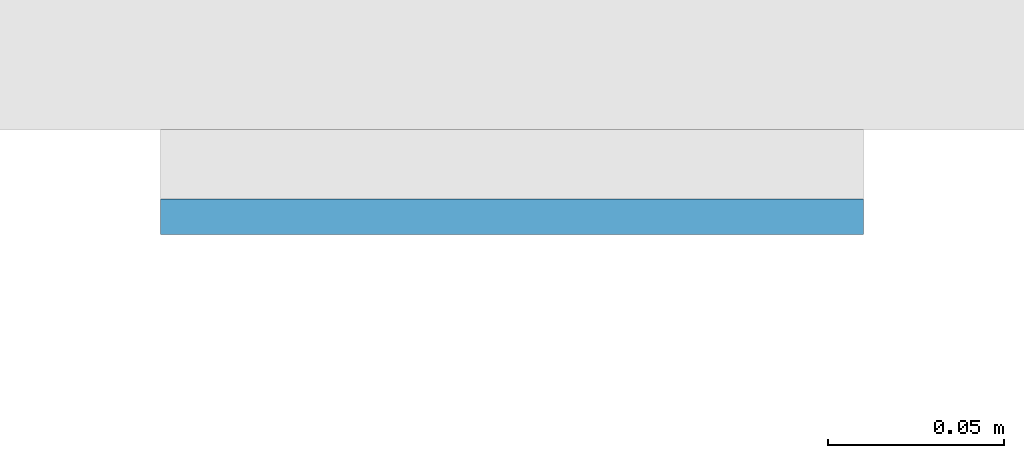
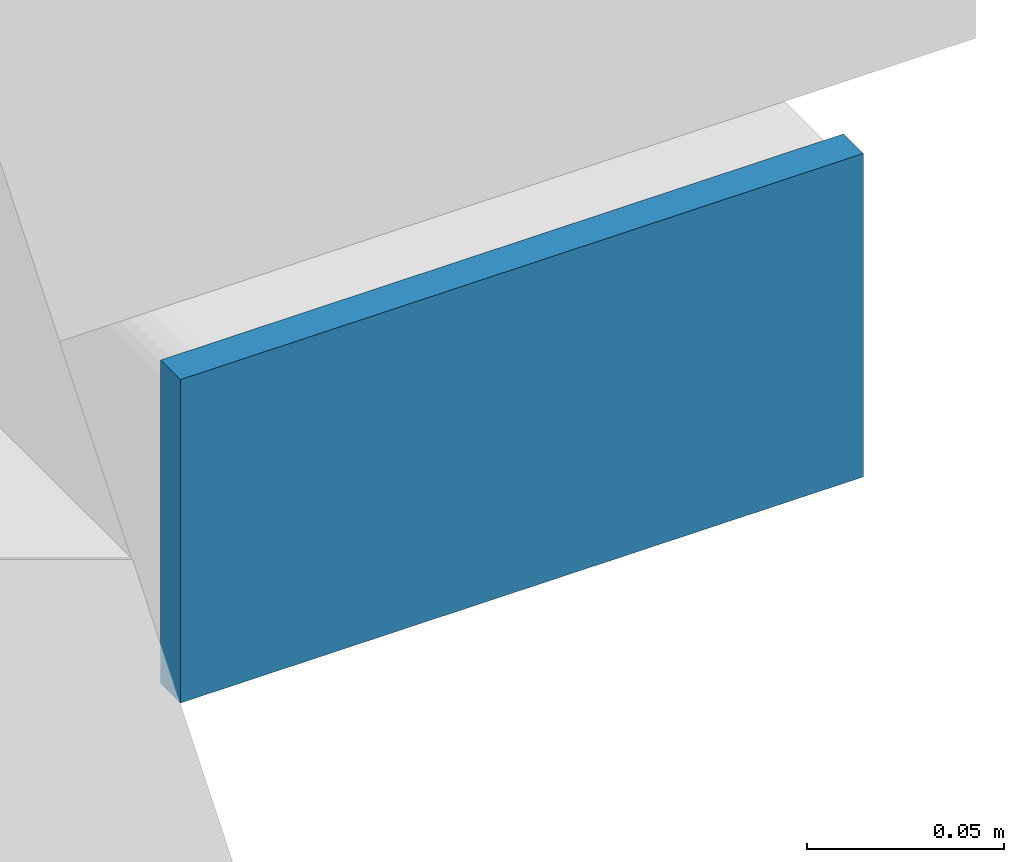
# One storey, part 10 of 20: 1 plate.
"""IFC4 building model written with IfcOpenShell, lengths in metres."""

import ifcopenshell
import ifcopenshell.guid

model = None  # the IFC model being written
_history = None  # IfcOwnerHistory: only IFC2X3 demands one
_inside = {}  # id of a spatial element -> (the spatial element, [elements in it])
_under = {}  # id of a project, library or spatial element -> (it, [spatial elements below it])
_declared = {}  # id of a project -> (the project, [libraries it declares])
_typed = {}  # id of a type object -> (the type object, [elements of that type])
_made_of = {}  # id of a material, layer set ... -> (it, [elements and type objects made of it])


def new_model(schema):
    """Start an empty IFC model of exactly this schema.

    Asked for "IFC4X3", IfcOpenShell would pick the latest addendum, in which some entities
    have other attributes; the version numbers below select the first issue.
    IFC2X3 requires an IfcOwnerHistory on every rooted entity: one is made here for all.
    """
    global model, _history
    if schema == "IFC4X3":
        model = ifcopenshell.file(schema_version=(4, 3, 0, 0))
    else:
        model = ifcopenshell.file(schema=schema)
    _inside.clear()
    _under.clear()
    _declared.clear()
    _typed.clear()
    _made_of.clear()
    _history = None
    if model.schema == "IFC2X3":
        org = make("IfcOrganization", Name="unknown")
        user = make(
            "IfcPersonAndOrganization",
            ThePerson=make("IfcPerson", FamilyName="unknown"),
            TheOrganization=org,
        )
        app = make(
            "IfcApplication",
            ApplicationDeveloper=org,
            Version="unknown",
            ApplicationFullName="unknown",
            ApplicationIdentifier="unknown",
        )
        _history = make(
            "IfcOwnerHistory",
            OwningUser=user,
            OwningApplication=app,
            ChangeAction="ADDED",
            CreationDate=0,
        )
    return model


def make(cls, **values):
    """One entity of the class cls with the attributes given. An attribute that is None is left unset."""
    return model.create_entity(
        cls, **{name: value for name, value in values.items() if value is not None}
    )


def rooted(cls, **values):
    """An entity with a GlobalId (a new one), such as an element, a storey or a relation."""
    return make(cls, GlobalId=ifcopenshell.guid.new(), OwnerHistory=_history, **values)


def si_unit(unit_type, name, prefix=None):
    """IfcSIUnit, for example si_unit("LENGTHUNIT", "METRE", prefix="MILLI")."""
    return make("IfcSIUnit", UnitType=unit_type, Prefix=prefix, Name=name)


def assignment(units):
    """IfcUnitAssignment: the units of a project."""
    return None if units is None else make("IfcUnitAssignment", Units=units)


def point(xyz):
    """IfcCartesianPoint."""
    return None if xyz is None else make("IfcCartesianPoint", Coordinates=xyz)


def direction(xyz):
    """IfcDirection."""
    return None if xyz is None else make("IfcDirection", DirectionRatios=xyz)


def frame(location, z_axis=None, x_axis=None):
    """IfcAxis2Placement3D, a coordinate frame: its origin and axes. An axis left out is left unset."""
    return make(
        "IfcAxis2Placement3D",
        Location=point(location),
        Axis=direction(z_axis),
        RefDirection=direction(x_axis),
    )


def frame_2d(location, x_axis=None):
    """IfcAxis2Placement2D, a coordinate frame in the plane: its origin and x axis."""
    return make(
        "IfcAxis2Placement2D", Location=point(location), RefDirection=direction(x_axis)
    )


def origin():
    """The frame at (0, 0, 0) with its axes left unset."""
    return frame((0.0, 0.0, 0.0))


def origin_2d():
    """The frame at (0, 0) in the plane with its x axis left unset."""
    return frame_2d((0.0, 0.0))


def place(relative_to, where):
    """IfcLocalPlacement: puts the frame where relative to a parent placement (None: the world)."""
    return make(
        "IfcLocalPlacement", PlacementRelTo=relative_to, RelativePlacement=where
    )


def context(
    kind, dimensions, precision=None, world=None, true_north=None, identifier=None
):
    """IfcGeometricRepresentationContext, for example the 3D "Model" context."""
    return make(
        "IfcGeometricRepresentationContext",
        ContextIdentifier=identifier,
        ContextType=kind,
        CoordinateSpaceDimension=dimensions,
        Precision=precision,
        WorldCoordinateSystem=world,
        TrueNorth=true_north,
    )


def subcontext(parent, identifier, kind, view, scale=None):
    """IfcGeometricRepresentationSubContext, for example "Body" below "Model"."""
    return make(
        "IfcGeometricRepresentationSubContext",
        ContextIdentifier=identifier,
        ContextType=kind,
        ParentContext=parent,
        TargetScale=scale,
        TargetView=view,
    )


def project(units=None, contexts=None):
    """IfcProject with its units and contexts."""
    return rooted(
        "IfcProject",
        Name="project",
        RepresentationContexts=contexts,
        UnitsInContext=assignment(units),
    )


def spatial(cls, under=None, at=None, **own):
    """A site, building, storey or space (cls), placed at a placement, below another one or the project."""
    s = rooted(cls, ObjectPlacement=at, **own)
    if under is not None:
        _under.setdefault(under.id(), (under, []))[1].append(s)
    return s


def profile(cls, at=None, kind="AREA", **sizes):
    """A parametric profile (cls). Its sizes go by their IFC names, for example OverallWidth=200.0."""
    return make(cls, ProfileType=kind, Position=at, **sizes)


def rectangle(**sizes):
    """IfcRectangleProfileDef."""
    return profile("IfcRectangleProfileDef", **sizes)


def extrude(swept, where, along, depth):
    """IfcExtrudedAreaSolid: the profile swept, set in the frame where, extruded along a direction by depth."""
    return make(
        "IfcExtrudedAreaSolid",
        SweptArea=swept,
        Position=where,
        ExtrudedDirection=direction(along),
        Depth=depth,
    )


def shape(context_of_items, identifier, shape_type, items):
    """IfcShapeRepresentation: the items that make up one representation, for example the "Body"."""
    return make(
        "IfcShapeRepresentation",
        ContextOfItems=context_of_items,
        RepresentationIdentifier=identifier,
        RepresentationType=shape_type,
        Items=items,
    )


def material(Name=None, Category=None):
    """IfcMaterial."""
    return make("IfcMaterial", Name=Name, Category=Category)


def layer(
    of_material, thickness, ventilated=None, Name=None, Category=None, Priority=None
):
    """IfcMaterialLayer: one layer of a wall or slab, of a material (None: an air gap)."""
    return make(
        "IfcMaterialLayer",
        Material=of_material,
        LayerThickness=thickness,
        IsVentilated=ventilated,
        Name=Name,
        Category=Category,
        Priority=Priority,
    )


def layer_set(layers, Name=None):
    """IfcMaterialLayerSet."""
    return make("IfcMaterialLayerSet", MaterialLayers=layers, LayerSetName=Name)


def made_of(thing, what):
    """Note that an element or type object is made of a material, layer set ...; save() writes the relation."""
    if what is not None:
        _made_of.setdefault(what.id(), (what, []))[1].append(thing)
    return thing


def type_object(cls, material=None, **own):
    """A type object (cls), such as IfcWallType, which elements share."""
    return made_of(rooted(cls, **own), material)


def element(
    cls,
    number,
    at=None,
    inside=None,
    cuts=None,
    type_object=None,
    material=None,
    context=None,
    identifier="Body",
    shape_type=None,
    held_by="IfcProductDefinitionShape",
    body=None,
    shapes=None,
    **own,
):
    """One element of the class cls, such as IfcWall. Its Tag is "e" and its number.

    at: its placement. inside: the storey or other place that contains it. cuts: it is an
    opening in that element (IfcRelVoidsElement). A single representation is given by context,
    identifier, shape_type and body (its items); several are given by shapes. held_by: the class
    of the entity that holds the representations. save() writes the other relations.
    """
    e = rooted(cls, Tag="e%d" % number, ObjectPlacement=at, **own)
    if body is not None:
        shapes = [shape(context, identifier, shape_type, body)]
    if shapes is not None:
        e.Representation = make(held_by, Representations=shapes)
    if inside is not None:
        _inside.setdefault(inside.id(), (inside, []))[1].append(e)
    if cuts is not None:
        rooted(
            "IfcRelVoidsElement", RelatingBuildingElement=cuts, RelatedOpeningElement=e
        )
    if type_object is not None:
        _typed.setdefault(type_object.id(), (type_object, []))[1].append(e)
    return made_of(e, material)


def aggregate(whole, parts):
    """IfcRelAggregates: a whole, such as a stair, and the parts it consists of."""
    return rooted("IfcRelAggregates", RelatingObject=whole, RelatedObjects=parts)


def save(model, path):
    """Write the relations noted so far, then the file.

    IfcRelAggregates (storeys below a building ...), IfcRelContainedInSpatialStructure (elements
    in a storey), IfcRelDefinesByType, IfcRelAssociatesMaterial and IfcRelDeclares: one each for
    every whole, place, type object, material and project.
    """
    for whole, parts in _under.values():
        aggregate(whole, parts)
    for where, things in _inside.values():
        rooted(
            "IfcRelContainedInSpatialStructure",
            RelatedElements=things,
            RelatingStructure=where,
        )
    for kind, things in _typed.values():
        rooted("IfcRelDefinesByType", RelatedObjects=things, RelatingType=kind)
    for what, things in _made_of.values():
        rooted("IfcRelAssociatesMaterial", RelatedObjects=things, RelatingMaterial=what)
    for by, libraries in _declared.values():
        rooted("IfcRelDeclares", RelatingContext=by, RelatedDefinitions=libraries)
    model.write(path)


model = new_model("IFC4")

# Units and contexts
model_context = context("Model", 3, precision=1e-05, world=origin(), true_north=direction((0.0, 1.0)))
body_context = subcontext(model_context, "Body", "Model", "MODEL_VIEW")
ifc_project = project(units=[si_unit("LENGTHUNIT", "METRE"), si_unit("AREAUNIT", "SQUARE_METRE"), si_unit("VOLUMEUNIT", "CUBIC_METRE"), si_unit("PLANEANGLEUNIT", "RADIAN"), si_unit("MASSUNIT", "GRAM", prefix="KILO")], contexts=[model_context])

# Site, building, storey
site_placement = place(None, origin())
site = spatial("IfcSite", under=ifc_project, at=site_placement, CompositionType="ELEMENT")
building_placement = place(site_placement, origin())
building = spatial("IfcBuilding", under=site, at=building_placement, Name="Cleftline Residences", CompositionType="ELEMENT")
storey_placement = place(building_placement, frame((0.0, 0.0, 96.199951171875)))
storey = spatial("IfcBuildingStorey", under=building, at=storey_placement, Name="L24", CompositionType="ELEMENT", Elevation=96.199951171875)

# Plate
ifc_material = material(Name="Steel S355, hot-dip galvanised", Category="steel")
ifc_layer = layer(ifc_material, 0.010009765625)
ifc_layer_set = layer_set([ifc_layer], Name="BAGUETTE CARRIER END PLATE 200X100X10")
plate_type = type_object("IfcPlateType", Name="BAGUETTE CARRIER END PLATE 200X100X10", PredefinedType="USERDEFINED", material=ifc_layer_set)
plate_placement = place(storey_placement, frame((66.85009765625, 3.695068359375, -0.10009765625), z_axis=(0.0, 0.0, 1.0), x_axis=(1.0, 0.0, 0.0)))
element("IfcPlate", 1, at=plate_placement, inside=storey, type_object=plate_type, Name="Baguette carrier end plate", ObjectType="BAGUETTE CARRIER END PLATE", PredefinedType="USERDEFINED", context=body_context, shape_type="SweptSolid", body=[
    extrude(rectangle(XDim=0.199951171875, YDim=0.010009765625, at=origin_2d()), origin(), (0.0, 0.0, 1.0), 0.10009765625),
])

save(model, "model.ifc")
